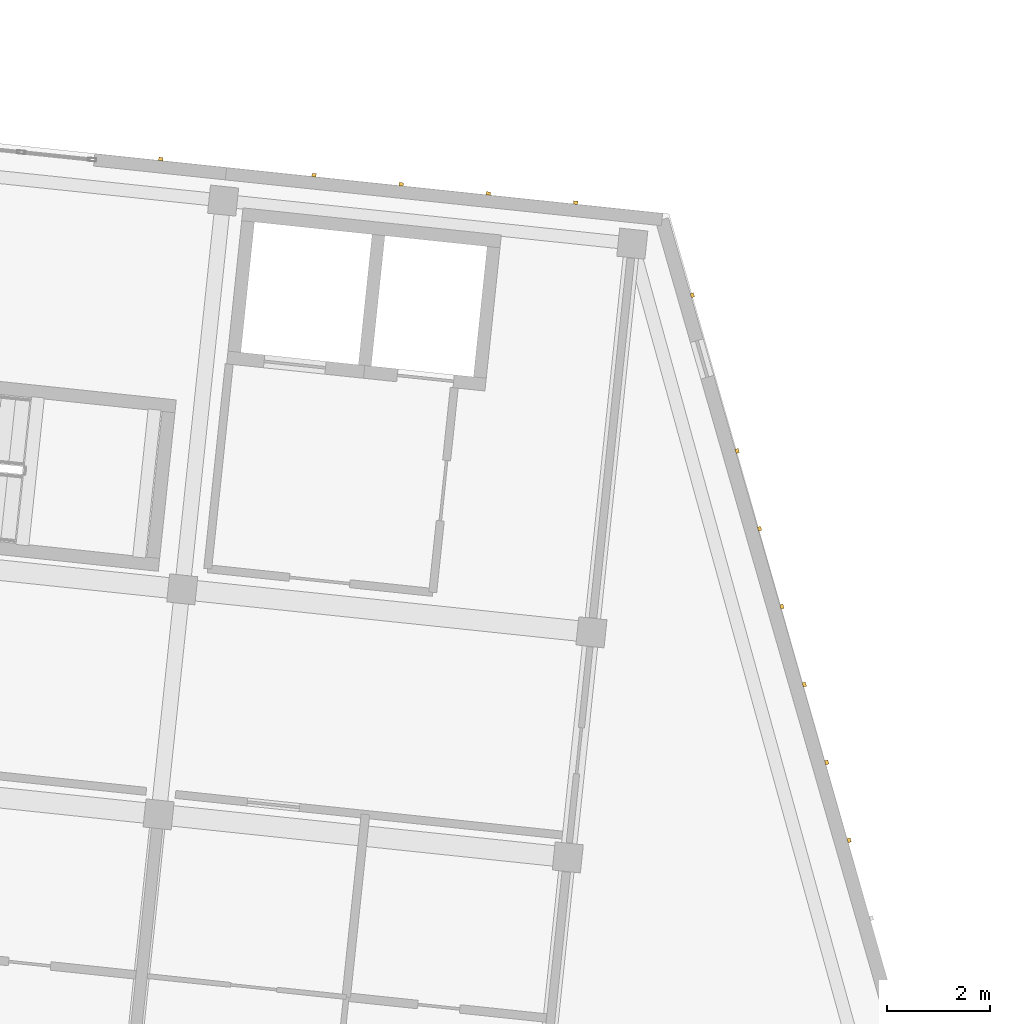
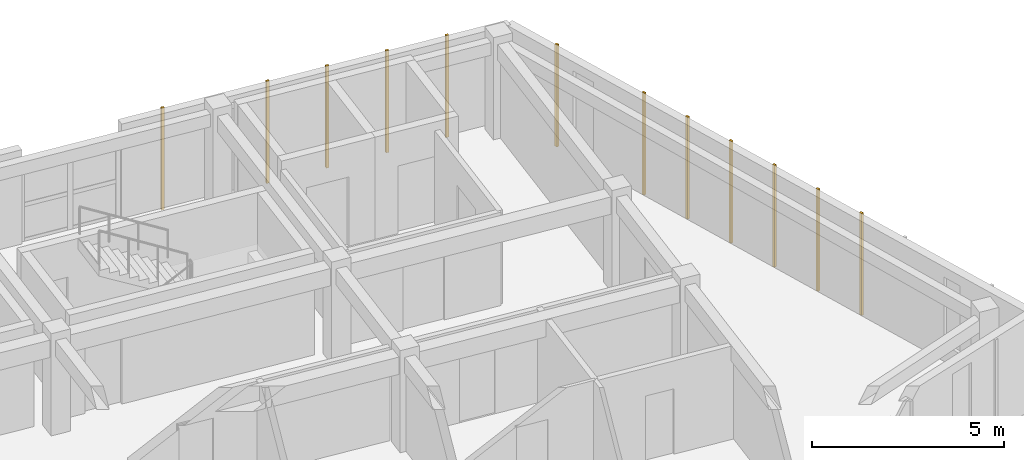
# One storey, part 66 of 66: 12 coverings.
"""IFC4 building model written with IfcOpenShell, lengths in metres."""

from ifc_helpers import new_model, si_unit, direction, frame, origin, origin_2d, place, context, subcontext, project, spatial, rectangle, extrude, material, layer, layer_set, type_object, element, save


model = new_model("IFC4")

# Units and contexts
model_context = context("Model", 3, precision=1e-05, world=origin(), true_north=direction((0.0, 1.0)))
body_context = subcontext(model_context, "Body", "Model", "MODEL_VIEW")
ifc_project = project(units=[si_unit("LENGTHUNIT", "METRE"), si_unit("AREAUNIT", "SQUARE_METRE"), si_unit("VOLUMEUNIT", "CUBIC_METRE"), si_unit("PLANEANGLEUNIT", "RADIAN"), si_unit("MASSUNIT", "GRAM", prefix="KILO")], contexts=[model_context])

# Site, building, storey
site_placement = place(None, origin())
site = spatial("IfcSite", under=ifc_project, at=site_placement, CompositionType="ELEMENT")
building_placement = place(site_placement, origin())
building = spatial("IfcBuilding", under=site, at=building_placement, Name="Kestramere Prow Commons", CompositionType="ELEMENT")
storey_placement = place(building_placement, frame((0.0, 0.0, 14.89990234375)))
storey = spatial("IfcBuildingStorey", under=building, at=storey_placement, Name="L04", CompositionType="ELEMENT", Elevation=14.89990234375)

# Coverings
ifc_material = material(Name="Weathered Zinc-Titanium Standing-Seam Cladding")
ifc_layer = layer(ifc_material, 0.074951171875)
ifc_layer_set = layer_set([ifc_layer], Name="Weathered Zinc-Titanium Standing-Seam Cladding")
covering_type = type_object("IfcCoveringType", Name="COV-CLAD-SEAM", PredefinedType="CLADDING", material=ifc_layer_set)
for number, where, z_axis, x_axis, name in (
    (1, (150.6201171875, 110.919921875, -0.25), (0.0, 0.0, 1.0), (0.994521895368, -0.104528463268, 0.0), "EW-B-L04-NP-4-R Standing-Seam Rib 1"),
    (2, (153.59619140625, 110.607177734375, -0.25), (0.0, 0.0, 1.0), (0.994521895368, -0.104528463268, 0.0), "EW-B-L04-N-5 Standing-Seam Rib 1"),
    (3, (155.291748046875, 110.428955078125, -0.25), (0.0, 0.0, 1.0), (0.994521895368, -0.104528463268, 0.0), "EW-B-L04-N-5 Standing-Seam Rib 2"),
    (4, (156.987548828125, 110.250732421875, -0.25), (0.0, 0.0, 1.0), (0.994521895368, -0.104528463268, 0.0), "EW-B-L04-N-5 Standing-Seam Rib 3"),
    (5, (158.68310546875, 110.072509765625, -0.25), (0.0, 0.0, 1.0), (0.994521895368, -0.104528463268, 0.0), "EW-B-L04-N-5 Standing-Seam Rib 4"),
    (6, (160.954345703125, 108.273193359375, -0.25), (0.0, 0.0, 1.0), (0.27631844013, -0.961066136977, 0.0), "EW-B-L04-PRW-N Standing-Seam Rib 1"),
    (7, (161.824951171875, 105.24462890625, -0.25), (0.0, 0.0, 1.0), (0.27631844013, -0.961066136977, 0.0), "EW-B-L04-PRW-N Standing-Seam Rib 3"),
    (8, (162.260498046875, 103.73046875, -0.25), (0.0, 0.0, 1.0), (0.27631844013, -0.961066136977, 0.0), "EW-B-L04-PRW-N Standing-Seam Rib 4"),
    (9, (162.69580078125, 102.21630859375, -0.25), (0.0, 0.0, 1.0), (0.27631844013, -0.961066136977, 0.0), "EW-B-L04-PRW-N Standing-Seam Rib 5"),
    (10, (163.131103515625, 100.7021484375, -0.25), (0.0, 0.0, 1.0), (0.27631844013, -0.961066136977, 0.0), "EW-B-L04-PRW-N Standing-Seam Rib 6"),
    (11, (163.56640625, 99.18798828125, -0.25), (0.0, 0.0, 1.0), (0.27631844013, -0.961066136977, 0.0), "EW-B-L04-PRW-N Standing-Seam Rib 7"),
    (12, (164.001708984375, 97.673583984375, -0.25), (0.0, 0.0, 1.0), (0.27631844013, -0.961066136977, 0.0), "EW-B-L04-PRW-N Standing-Seam Rib 8"),
):
    element("IfcCovering", number, at=place(storey_placement, frame(where, z_axis=z_axis, x_axis=x_axis)), inside=storey, type_object=covering_type, Name=name, PredefinedType="CLADDING", context=body_context, shape_type="SweptSolid", body=[
        extrude(rectangle(XDim=0.0849609375, YDim=0.06494140625, at=origin_2d()), origin(), (0.0, 0.0, 1.0), 3.25),
    ])

save(model, "model.ifc")
